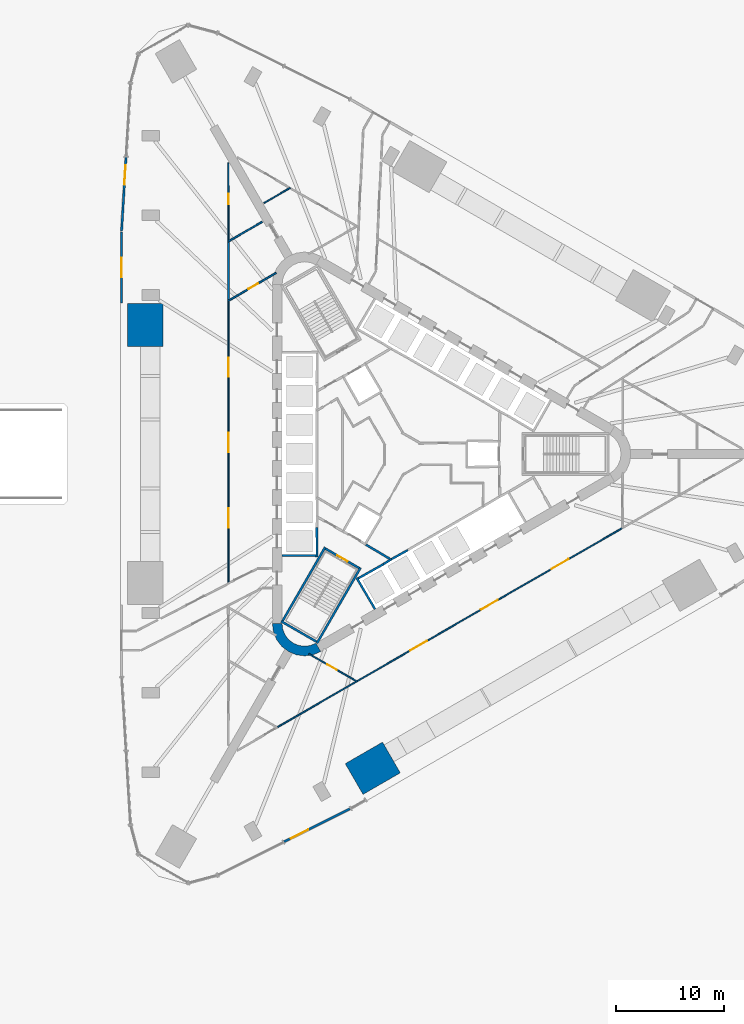
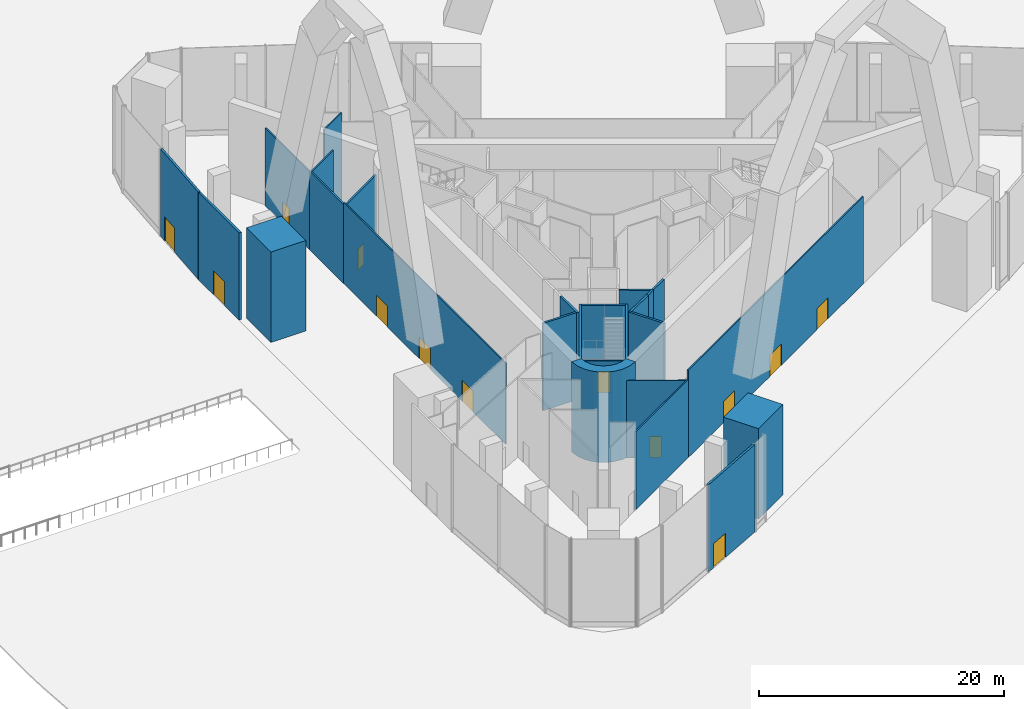
# One storey, part 14 of 22: 26 walls, 13 doors, 13 openings.
"""IFC4 building model written with IfcOpenShell, lengths in metres."""

from ifc_helpers import new_model, si_unit, direction, frame, frame_2d, origin, place, context, subcontext, project, spatial, polyline, rectangle, outline, extrude, material, layer, layer_set, type_object, element, fill, save


model = new_model("IFC4")

# Units and contexts
model_context = context("Model", 3, precision=1e-05, world=origin(), true_north=direction((0.0, 1.0)))
body_context = subcontext(model_context, "Body", "Model", "MODEL_VIEW")
ifc_project = project(units=[si_unit("LENGTHUNIT", "METRE"), si_unit("AREAUNIT", "SQUARE_METRE"), si_unit("VOLUMEUNIT", "CUBIC_METRE"), si_unit("PLANEANGLEUNIT", "RADIAN"), si_unit("MASSUNIT", "GRAM", prefix="KILO")], contexts=[model_context])

# Site, building, storey
site_placement = place(None, origin())
site = spatial("IfcSite", under=ifc_project, at=site_placement, CompositionType="ELEMENT")
building_placement = place(site_placement, origin())
building = spatial("IfcBuilding", under=site, at=building_placement, Name="Tanit Gate Tower", CompositionType="ELEMENT")
storey_placement = place(building_placement, origin())
storey = spatial("IfcBuildingStorey", under=building, at=storey_placement, Name="L00", CompositionType="ELEMENT", Elevation=0.0)

# Wall
ifc_material_1 = material(Name="Concrete C60/75", Category="concrete")
ifc_layer_1 = layer(ifc_material_1, 0.89990234375)
ifc_layer_set_1 = layer_set([ifc_layer_1], Name="CORE WALL 900 C60/75")
wall_type_1 = type_object("IfcWallType", Name="CORE WALL 900 C60/75", PredefinedType="SHEAR", material=ifc_layer_set_1)
wall_1_placement = place(storey_placement, origin())
element("IfcWall", 1, at=wall_1_placement, inside=storey, type_object=wall_type_1, Name="CORE WALL CORNER", PredefinedType="SHEAR", context=body_context, shape_type="SweptSolid", body=[
    extrude(outline(polyline([(-12.10009765625, -15.76171875), (-11.997802734375, -16.5380859375), (-11.697998046875, -17.26171875), (-11.22119140625, -17.883056640625), (-10.60009765625, -18.359619140625), (-9.87646484375, -18.659423828125), (-9.10009765625, -18.76171875), (-8.323486328125, -18.659423828125), (-7.60009765625, -18.359619140625), (-8.050048828125, -17.580322265625), (-8.556396484375, -17.7900390625), (-9.10009765625, -17.86181640625), (-9.6435546875, -17.7900390625), (-10.14990234375, -17.580322265625), (-10.5849609375, -17.24658203125), (-10.918701171875, -16.811767578125), (-11.12841796875, -16.30517578125), (-11.199951171875, -15.76171875), (-12.10009765625, -15.76171875)])), origin(), (0.0, 0.0, 1.0), 9.0),
])

# Wall, opening, door
ifc_material_2 = material(Name="Concrete C30/37 rendered", Category="concrete")
ifc_layer_2 = layer(ifc_material_2, 0.199951171875)
ifc_layer_set_2 = layer_set([ifc_layer_2], Name="Facade wall 200 rendered")
wall_type_2 = type_object("IfcWallType", Name="Facade wall 200 rendered", PredefinedType="SOLIDWALL", material=ifc_layer_set_2)
wall_2_placement = place(storey_placement, frame((-26.10986328125, 20.645263671875, 0.0), z_axis=(0.0, 0.0, 1.0), x_axis=(7.3923489e-05, -0.999999997268, 0.0)))
wall_2 = element("IfcWall", 2, at=wall_2_placement, inside=storey, type_object=wall_type_2, Name="Facade wall L00 W2a.1", PredefinedType="SOLIDWALL", context=body_context, shape_type="SweptSolid", body=[
    extrude(rectangle(XDim=6.605224609375, YDim=0.199951171875, at=frame_2d((3.302734375, 0.0))), origin(), (0.0, 0.0, 1.0), 8.699951171875),
])
opening_1_placement = place(wall_2_placement, frame((2.402587890625, 0.0, 0.0)))
opening_1 = element("IfcOpeningElement", 3, at=opening_1_placement, cuts=wall_2, Name="Opening D1", PredefinedType="OPENING", context=body_context, shape_type="SweptSolid", body=[
    extrude(rectangle(XDim=1.800048828125, YDim=2.39990234375, at=frame_2d((0.89990234375, 1.199951171875))), frame((0.0, 0.10986328125, 0.0), z_axis=(0.0, -1.0, 0.0), x_axis=(1.0, 0.0, 0.0)), (0.0, 0.0, 1.0), 0.219970703125),
])
ifc_material_3 = material(Name="Aluminium bronze anodised and glass", Category="aluminium")
door_type_1 = type_object("IfcDoorType", Name="Entrance door double 1800x2400", OperationType="DOUBLE_DOOR_SINGLE_SWING", PredefinedType="DOOR", material=ifc_material_3)
door_1_placement = place(opening_1_placement, frame((1.800048828125, 0.0, 0.0), z_axis=(0.0, 0.0, 1.0), x_axis=(-1.0, 0.0, 0.0)))
door_1 = element("IfcDoor", 4, at=door_1_placement, inside=storey, type_object=door_type_1, Name="Exit door", OperationType="SINGLE_SWING_RIGHT", OverallHeight=2.39990234375, OverallWidth=1.800048828125, PredefinedType="DOOR", context=body_context, shape_type="SweptSolid", body=[
    extrude(rectangle(XDim=1.800048828125, YDim=2.39990234375, at=frame_2d((0.89990234375, 1.199951171875))), frame((0.0, 0.02490234375, 0.0), z_axis=(0.0, -1.0, 0.0), x_axis=(1.0, 0.0, 0.0)), (0.0, 0.0, 1.0), 0.050048828125),
])
fill(opening_1, door_1)

wall_3_placement = place(storey_placement, frame((-11.031005859375, -36.041259765625, 0.0), z_axis=(0.0, 0.0, 1.0), x_axis=(0.894384485348, 0.447298996611, 0.0)))
wall_3 = element("IfcWall", 5, at=wall_3_placement, inside=storey, type_object=wall_type_2, Name="Facade wall L00 SE1.2", PredefinedType="SOLIDWALL", context=body_context, shape_type="SweptSolid", body=[
    extrude(rectangle(XDim=6.86083984375, YDim=0.199951171875, at=frame_2d((3.430419921875, 0.0))), origin(), (0.0, 0.0, 1.0), 8.699951171875),
])
opening_2_placement = place(wall_3_placement, frame((0.740478515625, 0.0, 0.0)))
opening_2 = element("IfcOpeningElement", 6, at=opening_2_placement, cuts=wall_3, Name="Opening D1", PredefinedType="OPENING", context=body_context, shape_type="SweptSolid", body=[
    extrude(rectangle(XDim=1.800048828125, YDim=2.39990234375, at=frame_2d((0.89990234375, 1.199951171875))), frame((0.0, 0.10986328125, 0.0), z_axis=(0.0, -1.0, 0.0), x_axis=(1.0, 0.0, 0.0)), (0.0, 0.0, 1.0), 0.219970703125),
])
door_2_placement = place(opening_2_placement, frame((1.800048828125, 0.0, 0.0), z_axis=(0.0, 0.0, 1.0), x_axis=(-1.0, 0.0, 0.0)))
door_2 = element("IfcDoor", 7, at=door_2_placement, inside=storey, type_object=door_type_1, Name="Exit door", OperationType="SINGLE_SWING_RIGHT", OverallHeight=2.39990234375, OverallWidth=1.800048828125, PredefinedType="DOOR", context=body_context, shape_type="SweptSolid", body=[
    extrude(rectangle(XDim=1.800048828125, YDim=2.39990234375, at=frame_2d((0.89990234375, 1.199951171875))), frame((0.0, 0.02490234375, 0.0), z_axis=(0.0, -1.0, 0.0), x_axis=(1.0, 0.0, 0.0)), (0.0, 0.0, 1.0), 0.050048828125),
])
fill(opening_2, door_2)

wall_4_placement = place(storey_placement, frame((-25.697021484375, 27.57373046875, 0.0), z_axis=(0.0, 0.0, 1.0), x_axis=(-0.059817122555, -0.998209352716, 0.0)))
wall_4 = element("IfcWall", 8, at=wall_4_placement, inside=storey, type_object=wall_type_2, Name="Facade wall L00 W1.2", PredefinedType="SOLIDWALL", context=body_context, shape_type="SweptSolid", body=[
    extrude(rectangle(XDim=6.86083984375, YDim=0.199951171875, at=frame_2d((3.430419921875, 0.0))), origin(), (0.0, 0.0, 1.0), 8.699951171875),
])
opening_3_placement = place(wall_4_placement, frame((0.740478515625, 0.0, 0.0)))
opening_3 = element("IfcOpeningElement", 9, at=opening_3_placement, cuts=wall_4, Name="Opening D1", PredefinedType="OPENING", context=body_context, shape_type="SweptSolid", body=[
    extrude(rectangle(XDim=1.800048828125, YDim=2.39990234375, at=frame_2d((0.89990234375, 1.199951171875))), frame((0.0, 0.10986328125, 0.0), z_axis=(0.0, -1.0, 0.0), x_axis=(1.0, 0.0, 0.0)), (0.0, 0.0, 1.0), 0.219970703125),
])
door_3_placement = place(opening_3_placement, frame((1.800048828125, 0.0, 0.0), z_axis=(0.0, 0.0, 1.0), x_axis=(-1.0, 0.0, 0.0)))
door_3 = element("IfcDoor", 10, at=door_3_placement, inside=storey, type_object=door_type_1, Name="Exit door", OperationType="SINGLE_SWING_RIGHT", OverallHeight=2.39990234375, OverallWidth=1.800048828125, PredefinedType="DOOR", context=body_context, shape_type="SweptSolid", body=[
    extrude(rectangle(XDim=1.800048828125, YDim=2.39990234375, at=frame_2d((0.89990234375, 1.199951171875))), frame((0.0, 0.02490234375, 0.0), z_axis=(0.0, -1.0, 0.0), x_axis=(1.0, 0.0, 0.0)), (0.0, 0.0, 1.0), 0.050048828125),
])
fill(opening_3, door_3)

# Wall
ifc_material_4 = material(Name="Fire-rated gypsum board partition")
ifc_layer_3 = layer(ifc_material_4, 0.199951171875)
ifc_layer_set_3 = layer_set([ifc_layer_3], Name="INT-WALL-COMPARTMENT")
wall_type_3 = type_object("IfcWallType", Name="INT-WALL-COMPARTMENT", PredefinedType="PARTITIONING", material=ifc_layer_set_3)
wall_5_placement = place(storey_placement, frame((-3.400634765625, -8.43017578125, 0.0), z_axis=(0.0, 0.0, 1.0), x_axis=(0.860615607571, -0.509255118781, 0.0)))
element("IfcWall", 11, at=wall_5_placement, inside=storey, type_object=wall_type_3, Name="Wall Compartment W063", PredefinedType="PARTITIONING", context=body_context, shape_type="SweptSolid", body=[
    extrude(rectangle(XDim=2.58056640625, YDim=0.199951171875, at=frame_2d((1.290283203125, 0.0))), origin(), (0.0, 0.0, 1.0), 8.699951171875),
])

# Wall, opening, door
ifc_material_5 = material(Name="Gypsum board partition")
ifc_layer_4 = layer(ifc_material_5, 0.1201171875)
ifc_layer_set_4 = layer_set([ifc_layer_4], Name="INT-WALL-PARTITION")
wall_type_4 = type_object("IfcWallType", Name="INT-WALL-PARTITION", PredefinedType="PARTITIONING", material=ifc_layer_set_4)
wall_6_placement = place(storey_placement, frame((-8.706787109375, -18.58251953125, 0.0), z_axis=(0.0, 0.0, 1.0), x_axis=(0.868530929613, -0.495634970825, 0.0)))
wall_6 = element("IfcWall", 12, at=wall_6_placement, inside=storey, type_object=wall_type_4, Name="Wall Partition W092", PredefinedType="PARTITIONING", context=body_context, shape_type="SweptSolid", body=[
    extrude(rectangle(XDim=5.165771484375, YDim=0.1201171875, at=frame_2d((2.5830078125, 0.0))), origin(), (0.0, 0.0, 1.0), 7.669921875),
])
opening_4_placement = place(wall_6_placement, frame((1.976806640625, 0.0, 0.0)))
opening_4 = element("IfcOpeningElement", 13, at=opening_4_placement, cuts=wall_6, Name="Opening D10-00-43", PredefinedType="OPENING", context=body_context, shape_type="SweptSolid", body=[
    extrude(rectangle(XDim=1.0, YDim=2.10009765625, at=frame_2d((0.5, 1.050048828125))), frame((0.0, 0.070068359375, 0.0), z_axis=(0.0, -1.0, 0.0), x_axis=(1.0, 0.0, 0.0)), (0.0, 0.0, 1.0), 0.14013671875),
])
ifc_material_6 = material(Name="Timber door leaf", Category="wood")
door_type_2 = type_object("IfcDoorType", Name="INT-DOOR-SINGLE-1000", OperationType="NOTDEFINED", PredefinedType="NOTDEFINED", material=ifc_material_6)
door_4_placement = place(opening_4_placement, origin())
door_4 = element("IfcDoor", 14, at=door_4_placement, inside=storey, type_object=door_type_2, Name="Door D10-00-43", OperationType="SINGLE_SWING_LEFT", OverallHeight=2.10009765625, OverallWidth=1.0, PredefinedType="NOTDEFINED", context=body_context, shape_type="SweptSolid", body=[
    extrude(rectangle(XDim=1.0, YDim=2.10009765625, at=frame_2d((0.5, 1.050048828125))), frame((0.0, 0.02490234375, 0.0), z_axis=(0.0, -1.0, 0.0), x_axis=(1.0, 0.0, 0.0)), (0.0, 0.0, 1.0), 0.050048828125),
])
fill(opening_4, door_4)

# Wall, openings, doors
wall_7_placement = place(storey_placement, frame((-4.276123046875, -21.140380859375, 0.0), z_axis=(0.0, 0.0, 1.0), x_axis=(0.866026219638, 0.499998586897, 0.0)))
wall_7 = element("IfcWall", 15, at=wall_7_placement, inside=storey, type_object=wall_type_4, Name="Wall Partition W093", PredefinedType="PARTITIONING", context=body_context, shape_type="SweptSolid", body=[
    extrude(rectangle(XDim=28.546875, YDim=0.1201171875, at=frame_2d((14.2734375, 0.0))), origin(), (0.0, 0.0, 1.0), 8.699951171875),
])
opening_5_placement = place(wall_7_placement, frame((20.947021484375, 0.0, 0.0)))
opening_5 = element("IfcOpeningElement", 16, at=opening_5_placement, cuts=wall_7, Name="Opening D18-00-27", PredefinedType="OPENING", context=body_context, shape_type="SweptSolid", body=[
    extrude(rectangle(XDim=1.800048828125, YDim=2.10009765625, at=frame_2d((0.89990234375, 1.050048828125))), frame((0.0, 0.070068359375, 0.0), z_axis=(0.0, -1.0, 0.0), x_axis=(1.0, 0.0, 0.0)), (0.0, 0.0, 1.0), 0.14013671875),
])
opening_6_placement = place(wall_7_placement, frame((13.346923828125, 0.0, 0.0)))
opening_6 = element("IfcOpeningElement", 17, at=opening_6_placement, cuts=wall_7, Name="Opening D18-00-28", PredefinedType="OPENING", context=body_context, shape_type="SweptSolid", body=[
    extrude(rectangle(XDim=1.800048828125, YDim=2.10009765625, at=frame_2d((0.89990234375, 1.050048828125))), frame((0.0, 0.070068359375, 0.0), z_axis=(0.0, -1.0, 0.0), x_axis=(1.0, 0.0, 0.0)), (0.0, 0.0, 1.0), 0.14013671875),
])
opening_7_placement = place(wall_7_placement, frame((5.7470703125, 0.0, 0.0)))
opening_7 = element("IfcOpeningElement", 18, at=opening_7_placement, cuts=wall_7, Name="Opening D18-00-29", PredefinedType="OPENING", context=body_context, shape_type="SweptSolid", body=[
    extrude(rectangle(XDim=1.800048828125, YDim=2.10009765625, at=frame_2d((0.89990234375, 1.050048828125))), frame((0.0, 0.070068359375, 0.0), z_axis=(0.0, -1.0, 0.0), x_axis=(1.0, 0.0, 0.0)), (0.0, 0.0, 1.0), 0.14013671875),
])
ifc_material_7 = material(Name="Timber door leaf", Category="wood")
door_type_3 = type_object("IfcDoorType", Name="INT-DOOR-PAIR-1800", OperationType="NOTDEFINED", PredefinedType="NOTDEFINED", material=ifc_material_7)
door_5_placement = place(opening_5_placement, origin())
door_5 = element("IfcDoor", 19, at=door_5_placement, inside=storey, type_object=door_type_3, Name="Door D18-00-27", OperationType="DOUBLE_DOOR_SINGLE_SWING", OverallHeight=2.10009765625, OverallWidth=1.800048828125, PredefinedType="NOTDEFINED", context=body_context, shape_type="SweptSolid", body=[
    extrude(rectangle(XDim=1.800048828125, YDim=2.10009765625, at=frame_2d((0.89990234375, 1.050048828125))), frame((0.0, 0.02490234375, 0.0), z_axis=(0.0, -1.0, 0.0), x_axis=(1.0, 0.0, 0.0)), (0.0, 0.0, 1.0), 0.050048828125),
])
fill(opening_5, door_5)
door_6_placement = place(opening_6_placement, origin())
door_6 = element("IfcDoor", 20, at=door_6_placement, inside=storey, type_object=door_type_3, Name="Door D18-00-28", OperationType="DOUBLE_DOOR_SINGLE_SWING", OverallHeight=2.10009765625, OverallWidth=1.800048828125, PredefinedType="NOTDEFINED", context=body_context, shape_type="SweptSolid", body=[
    extrude(rectangle(XDim=1.800048828125, YDim=2.10009765625, at=frame_2d((0.89990234375, 1.050048828125))), frame((0.0, 0.02490234375, 0.0), z_axis=(0.0, -1.0, 0.0), x_axis=(1.0, 0.0, 0.0)), (0.0, 0.0, 1.0), 0.050048828125),
])
fill(opening_6, door_6)
door_7_placement = place(opening_7_placement, origin())
door_7 = element("IfcDoor", 21, at=door_7_placement, inside=storey, type_object=door_type_3, Name="Door D18-00-29", OperationType="DOUBLE_DOOR_SINGLE_SWING", OverallHeight=2.10009765625, OverallWidth=1.800048828125, PredefinedType="NOTDEFINED", context=body_context, shape_type="SweptSolid", body=[
    extrude(rectangle(XDim=1.800048828125, YDim=2.10009765625, at=frame_2d((0.89990234375, 1.050048828125))), frame((0.0, 0.02490234375, 0.0), z_axis=(0.0, -1.0, 0.0), x_axis=(1.0, 0.0, 0.0)), (0.0, 0.0, 1.0), 0.050048828125),
])
fill(opening_7, door_7)

wall_8_placement = place(storey_placement, frame((-16.169921875, 14.2734375, 0.0), z_axis=(0.0, 0.0, 1.0), x_axis=(0.0, -1.0, 0.0)))
wall_8 = element("IfcWall", 22, at=wall_8_placement, inside=storey, type_object=wall_type_4, Name="Wall Partition W097", PredefinedType="PARTITIONING", context=body_context, shape_type="SweptSolid", body=[
    extrude(rectangle(XDim=26.350341796875, YDim=0.1201171875, at=frame_2d((13.17529296875, 0.0))), origin(), (0.0, 0.0, 1.0), 8.080078125),
])
opening_8_placement = place(wall_8_placement, frame((19.31396484375, 0.0, 0.0)))
opening_8 = element("IfcOpeningElement", 23, at=opening_8_placement, cuts=wall_8, Name="Opening D18-00-30", PredefinedType="OPENING", context=body_context, shape_type="SweptSolid", body=[
    extrude(rectangle(XDim=1.800048828125, YDim=2.10009765625, at=frame_2d((0.89990234375, 1.050048828125))), frame((0.0, 0.070068359375, 0.0), z_axis=(0.0, -1.0, 0.0), x_axis=(1.0, 0.0, 0.0)), (0.0, 0.0, 1.0), 0.14013671875),
])
opening_9_placement = place(wall_8_placement, frame((12.31396484375, 0.0, 0.0)))
opening_9 = element("IfcOpeningElement", 24, at=opening_9_placement, cuts=wall_8, Name="Opening D18-00-31", PredefinedType="OPENING", context=body_context, shape_type="SweptSolid", body=[
    extrude(rectangle(XDim=1.800048828125, YDim=2.10009765625, at=frame_2d((0.89990234375, 1.050048828125))), frame((0.0, 0.070068359375, 0.0), z_axis=(0.0, -1.0, 0.0), x_axis=(1.0, 0.0, 0.0)), (0.0, 0.0, 1.0), 0.14013671875),
])
opening_10_placement = place(wall_8_placement, frame((5.31396484375, 0.0, 0.0)))
opening_10 = element("IfcOpeningElement", 25, at=opening_10_placement, cuts=wall_8, Name="Opening D18-00-32", PredefinedType="OPENING", context=body_context, shape_type="SweptSolid", body=[
    extrude(rectangle(XDim=1.800048828125, YDim=2.10009765625, at=frame_2d((0.89990234375, 1.050048828125))), frame((0.0, 0.070068359375, 0.0), z_axis=(0.0, -1.0, 0.0), x_axis=(1.0, 0.0, 0.0)), (0.0, 0.0, 1.0), 0.14013671875),
])
door_8_placement = place(opening_8_placement, origin())
door_8 = element("IfcDoor", 26, at=door_8_placement, inside=storey, type_object=door_type_3, Name="Door D18-00-30", OperationType="DOUBLE_DOOR_SINGLE_SWING", OverallHeight=2.10009765625, OverallWidth=1.800048828125, PredefinedType="NOTDEFINED", context=body_context, shape_type="SweptSolid", body=[
    extrude(rectangle(XDim=1.800048828125, YDim=2.10009765625, at=frame_2d((0.89990234375, 1.050048828125))), frame((0.0, 0.02490234375, 0.0), z_axis=(0.0, -1.0, 0.0), x_axis=(1.0, 0.0, 0.0)), (0.0, 0.0, 1.0), 0.050048828125),
])
fill(opening_8, door_8)
door_9_placement = place(opening_9_placement, origin())
door_9 = element("IfcDoor", 27, at=door_9_placement, inside=storey, type_object=door_type_3, Name="Door D18-00-31", OperationType="DOUBLE_DOOR_SINGLE_SWING", OverallHeight=2.10009765625, OverallWidth=1.800048828125, PredefinedType="NOTDEFINED", context=body_context, shape_type="SweptSolid", body=[
    extrude(rectangle(XDim=1.800048828125, YDim=2.10009765625, at=frame_2d((0.89990234375, 1.050048828125))), frame((0.0, 0.02490234375, 0.0), z_axis=(0.0, -1.0, 0.0), x_axis=(1.0, 0.0, 0.0)), (0.0, 0.0, 1.0), 0.050048828125),
])
fill(opening_9, door_9)
door_10_placement = place(opening_10_placement, origin())
door_10 = element("IfcDoor", 28, at=door_10_placement, inside=storey, type_object=door_type_3, Name="Door D18-00-32", OperationType="DOUBLE_DOOR_SINGLE_SWING", OverallHeight=2.10009765625, OverallWidth=1.800048828125, PredefinedType="NOTDEFINED", context=body_context, shape_type="SweptSolid", body=[
    extrude(rectangle(XDim=1.800048828125, YDim=2.10009765625, at=frame_2d((0.89990234375, 1.050048828125))), frame((0.0, 0.02490234375, 0.0), z_axis=(0.0, -1.0, 0.0), x_axis=(1.0, 0.0, 0.0)), (0.0, 0.0, 1.0), 0.050048828125),
])
fill(opening_10, door_10)

# Walls
wall_9_placement = place(storey_placement, frame((-4.276123046875, -21.140380859375, 0.0), z_axis=(0.0, 0.0, 1.0), x_axis=(-0.866020735843, -0.500008085025, 0.0)))
element("IfcWall", 29, at=wall_9_placement, inside=storey, type_object=wall_type_4, Name="Wall Partition W117", PredefinedType="PARTITIONING", context=body_context, shape_type="SweptSolid", body=[
    extrude(rectangle(XDim=8.557861328125, YDim=0.1201171875, at=frame_2d((4.27880859375, 0.0))), origin(), (0.0, 0.0, 1.0), 7.780029296875),
])
wall_10_placement = place(storey_placement, frame((-10.436279296875, 24.7314453125, 0.0), z_axis=(0.0, 0.0, 1.0), x_axis=(-0.865418403418, -0.501049884768, 0.0)))
element("IfcWall", 30, at=wall_10_placement, inside=storey, type_object=wall_type_4, Name="Wall Partition W105", PredefinedType="PARTITIONING", context=body_context, shape_type="SweptSolid", body=[
    extrude(rectangle(XDim=2.82763671875, YDim=0.1201171875, at=frame_2d((1.413818359375, 0.0))), origin(), (0.0, 0.0, 1.0), 8.699951171875),
])

# Wall, opening, door
wall_11_placement = place(storey_placement, frame((-16.169921875, 19.794677734375, 0.0), z_axis=(0.0, 0.0, 1.0), x_axis=(-0.003632670279, 0.999993401832, 0.0)))
wall_11 = element("IfcWall", 31, at=wall_11_placement, inside=storey, type_object=wall_type_4, Name="Wall Partition W111", PredefinedType="PARTITIONING", context=body_context, shape_type="SweptSolid", body=[
    extrude(rectangle(XDim=7.25830078125, YDim=0.1201171875, at=frame_2d((3.629150390625, 0.0))), origin(), (0.0, 0.0, 1.0), 7.780029296875),
])
opening_11_placement = place(wall_11_placement, frame((3.39990234375, 0.0, 0.0)))
opening_11 = element("IfcOpeningElement", 32, at=opening_11_placement, cuts=wall_11, Name="Opening D10-00-40", PredefinedType="OPENING", context=body_context, shape_type="SweptSolid", body=[
    extrude(rectangle(XDim=1.0, YDim=2.10009765625, at=frame_2d((0.5, 1.050048828125))), frame((0.0, 0.070068359375, 0.0), z_axis=(0.0, -1.0, 0.0), x_axis=(1.0, 0.0, 0.0)), (0.0, 0.0, 1.0), 0.14013671875),
])
door_11_placement = place(opening_11_placement, origin())
door_11 = element("IfcDoor", 33, at=door_11_placement, inside=storey, type_object=door_type_2, Name="Door D10-00-40", OperationType="SINGLE_SWING_LEFT", OverallHeight=2.10009765625, OverallWidth=1.0, PredefinedType="NOTDEFINED", context=body_context, shape_type="SweptSolid", body=[
    extrude(rectangle(XDim=1.0, YDim=2.10009765625, at=frame_2d((0.5, 1.050048828125))), frame((0.0, 0.02490234375, 0.0), z_axis=(0.0, -1.0, 0.0), x_axis=(1.0, 0.0, 0.0)), (0.0, 0.0, 1.0), 0.050048828125),
])
fill(opening_11, door_11)

ifc_material_8 = material(Name="Fire-rated gypsum board partition")
ifc_layer_5 = layer(ifc_material_8, 0.14990234375)
ifc_layer_set_5 = layer_set([ifc_layer_5], Name="INT-WALL-RISER")
wall_type_5 = type_object("IfcWallType", Name="INT-WALL-RISER", PredefinedType="PLUMBINGWALL", material=ifc_layer_set_5)
wall_12_placement = place(storey_placement, frame((-11.739501953125, 16.83154296875, 0.0), z_axis=(0.0, 0.0, 1.0), x_axis=(-0.863501067027, -0.504347010741, 0.0)))
wall_12 = element("IfcWall", 34, at=wall_12_placement, inside=storey, type_object=wall_type_5, Name="Wall Riser W094", PredefinedType="PLUMBINGWALL", context=body_context, shape_type="SweptSolid", body=[
    extrude(rectangle(XDim=5.16552734375, YDim=0.14990234375, at=frame_2d((2.582763671875, 0.0))), origin(), (0.0, 0.0, 1.0), 7.780029296875),
])
opening_12_placement = place(wall_12_placement, frame((1.976806640625, 0.0, 0.0)))
opening_12 = element("IfcOpeningElement", 35, at=opening_12_placement, cuts=wall_12, Name="Opening F10-00-39", PredefinedType="OPENING", context=body_context, shape_type="SweptSolid", body=[
    extrude(rectangle(XDim=1.0, YDim=2.10009765625, at=frame_2d((0.5, 1.050048828125))), frame((0.0, 0.0849609375, 0.0), z_axis=(0.0, -1.0, 0.0), x_axis=(1.0, 0.0, 0.0)), (0.0, 0.0, 1.0), 0.169921875),
])
ifc_material_9 = material(Name="Fire-rated steel door leaf", Category="steel")
door_type_4 = type_object("IfcDoorType", Name="INT-DOOR-FIRE-1000", OperationType="NOTDEFINED", PredefinedType="USERDEFINED", material=ifc_material_9)
door_12_placement = place(opening_12_placement, origin())
door_12 = element("IfcDoor", 36, at=door_12_placement, inside=storey, type_object=door_type_4, Name="Door F10-00-39", ObjectType="FIRE DOOR", OperationType="SINGLE_SWING_LEFT", OverallHeight=2.10009765625, OverallWidth=1.0, PredefinedType="USERDEFINED", context=body_context, shape_type="SweptSolid", body=[
    extrude(rectangle(XDim=1.0, YDim=2.10009765625, at=frame_2d((0.5, 1.050048828125))), frame((0.0, 0.02490234375, 0.0), z_axis=(0.0, -1.0, 0.0), x_axis=(1.0, 0.0, 0.0)), (0.0, 0.0, 1.0), 0.050048828125),
])
fill(opening_12, door_12)

# Walls
wall_13_placement = place(storey_placement, frame((-13.0322265625, 21.572265625, 0.0), z_axis=(0.0, 0.0, 1.0), x_axis=(-0.866491166515, -0.499192406143, 0.0)))
element("IfcWall", 37, at=wall_13_placement, inside=storey, type_object=wall_type_5, Name="Wall Riser W109", PredefinedType="PLUMBINGWALL", context=body_context, shape_type="SweptSolid", body=[
    extrude(rectangle(XDim=3.65576171875, YDim=0.14990234375, at=frame_2d((1.827880859375, 0.0))), origin(), (0.0, 0.0, 1.0), 7.780029296875),
])
wall_14_placement = place(storey_placement, frame((-16.169921875, 14.2734375, 0.0), z_axis=(0.0, 0.0, 1.0), x_axis=(0.0, 1.0, 0.0)))
element("IfcWall", 38, at=wall_14_placement, inside=storey, type_object=wall_type_5, Name="Wall Riser W110", PredefinedType="PLUMBINGWALL", context=body_context, shape_type="SweptSolid", body=[
    extrude(rectangle(XDim=5.521240234375, YDim=0.14990234375, at=frame_2d((2.7607421875, 0.0))), origin(), (0.0, 0.0, 1.0), 7.8798828125),
])
ifc_material_10 = material(Name="Gypsum shaft wall system")
ifc_layer_6 = layer(ifc_material_10, 0.199951171875)
ifc_layer_set_6 = layer_set([ifc_layer_6], Name="INT-WALL-SHAFT")
wall_type_6 = type_object("IfcWallType", Name="INT-WALL-SHAFT", PredefinedType="PLUMBINGWALL", material=ifc_layer_set_6)
wall_15_placement = place(storey_placement, frame((-7.97900390625, -6.85009765625, 0.0), z_axis=(0.0, 0.0, 1.0), x_axis=(0.011121475088, -0.999938154483, 0.0)))
element("IfcWall", 39, at=wall_15_placement, inside=storey, type_object=wall_type_6, Name="Wall Shaft W011", PredefinedType="PLUMBINGWALL", context=body_context, shape_type="SweptSolid", body=[
    extrude(rectangle(XDim=2.7001953125, YDim=0.199951171875, at=frame_2d((1.35009765625, 0.0))), origin(), (0.0, 0.0, 1.0), 8.699951171875),
])
wall_16_placement = place(storey_placement, frame((-8.050048828125, -9.448974609375, 0.0), z_axis=(0.0, 0.0, 1.0), x_axis=(-0.999957467379, 0.009222983926, 0.0)))
element("IfcWall", 40, at=wall_16_placement, inside=storey, type_object=wall_type_6, Name="Wall Shaft W012", PredefinedType="PLUMBINGWALL", context=body_context, shape_type="SweptSolid", body=[
    extrude(rectangle(XDim=3.150146484375, YDim=0.199951171875, at=frame_2d((1.5751953125, 0.0))), origin(), (0.0, 0.0, 1.0), 8.699951171875),
])
wall_17_placement = place(storey_placement, frame((-2.557861328125, -14.409423828125, 0.0), z_axis=(0.0, 0.0, 1.0), x_axis=(-0.507997497166, 0.861358544901, 0.0)))
element("IfcWall", 41, at=wall_17_placement, inside=storey, type_object=wall_type_6, Name="Wall Shaft W027", PredefinedType="PLUMBINGWALL", context=body_context, shape_type="SweptSolid", body=[
    extrude(rectangle(XDim=3.350341796875, YDim=0.199951171875, at=frame_2d((1.67529296875, 0.0))), origin(), (0.0, 0.0, 1.0), 8.699951171875),
])
wall_18_placement = place(storey_placement, frame((-1.7685546875, -10.23681640625, 0.0), z_axis=(0.0, 0.0, 1.0), x_axis=(-0.871534483978, -0.490334215854, 0.0)))
element("IfcWall", 42, at=wall_18_placement, inside=storey, type_object=wall_type_6, Name="Wall Shaft W028", PredefinedType="PLUMBINGWALL", context=body_context, shape_type="SweptSolid", body=[
    extrude(rectangle(XDim=2.7001953125, YDim=0.199951171875, at=frame_2d((1.35009765625, 0.0))), origin(), (0.0, 0.0, 1.0), 8.699951171875),
])
wall_19_placement = place(storey_placement, frame((-1.02392578125, -9.77099609375, 0.0), z_axis=(0.0, 0.0, 1.0), x_axis=(-0.850348075135, -0.526220629693, 0.0)))
element("IfcWall", 43, at=wall_19_placement, inside=storey, type_object=wall_type_6, Name="Wall Shaft W029", PredefinedType="PLUMBINGWALL", context=body_context, shape_type="SweptSolid", body=[
    extrude(rectangle(XDim=0.878173828125, YDim=0.199951171875, at=frame_2d((0.43896484375, 0.0))), origin(), (0.0, 0.0, 1.0), 8.699951171875),
])
wall_20_placement = place(storey_placement, frame((-1.130126953125, -9.831298828125, 0.0), z_axis=(0.0, 0.0, 1.0), x_axis=(0.874269620932, 0.485440655401, 0.0)))
element("IfcWall", 44, at=wall_20_placement, inside=storey, type_object=wall_type_6, Name="Wall Shaft W030", PredefinedType="PLUMBINGWALL", context=body_context, shape_type="SweptSolid", body=[
    extrude(rectangle(XDim=1.8447265625, YDim=0.199951171875, at=frame_2d((0.92236328125, 0.0))), origin(), (0.0, 0.0, 1.0), 8.699951171875),
])
ifc_material_11 = material(Name="Concrete C40/50", Category="concrete")
ifc_layer_7 = layer(ifc_material_11, 0.199951171875)
ifc_layer_set_7 = layer_set([ifc_layer_7], Name="INT-WALL-STAIR")
wall_type_7 = type_object("IfcWallType", Name="INT-WALL-STAIR", PredefinedType="SHEAR", material=ifc_layer_set_7)
wall_21_placement = place(storey_placement, frame((-3.904541015625, -10.56298828125, -0.39990234375), z_axis=(0.0, 0.0, 1.0), x_axis=(-0.500012932018, -0.866017937352, 0.0)))
element("IfcWall", 45, at=wall_21_placement, inside=storey, type_object=wall_type_7, Name="Wall Stair W049", PredefinedType="SHEAR", context=body_context, shape_type="SweptSolid", body=[
    extrude(rectangle(XDim=8.099853515625, YDim=0.199951171875, at=frame_2d((4.0498046875, 0.0))), origin(), (0.0, 0.0, 1.0), 9.099853515625),
])
wall_22_placement = place(storey_placement, frame((-11.281982421875, -15.541015625, -0.39990234375), z_axis=(0.0, 0.0, 1.0), x_axis=(0.866000483506, -0.500043160704, 0.0)))
element("IfcWall", 46, at=wall_22_placement, inside=storey, type_object=wall_type_7, Name="Wall Stair W050", PredefinedType="SHEAR", context=body_context, shape_type="SweptSolid", body=[
    extrude(rectangle(XDim=3.800048828125, YDim=0.199951171875, at=frame_2d((1.89990234375, 0.0))), origin(), (0.0, 0.0, 1.0), 9.099853515625),
])
wall_23_placement = place(storey_placement, frame((-7.195556640625, -8.662841796875, -0.39990234375), z_axis=(0.0, 0.0, 1.0), x_axis=(-0.499997992926, -0.866026562566, 0.0)))
element("IfcWall", 47, at=wall_23_placement, inside=storey, type_object=wall_type_7, Name="Wall Stair W051", PredefinedType="SHEAR", context=body_context, shape_type="SweptSolid", body=[
    extrude(rectangle(XDim=7.89990234375, YDim=0.199951171875, at=frame_2d((3.949951171875, 0.0))), origin(), (0.0, 0.0, 1.0), 9.099853515625),
])

# Wall, opening, door
wall_24_placement = place(storey_placement, frame((-4.041259765625, -10.599365234375, -0.39990234375), z_axis=(0.0, 0.0, 1.0), x_axis=(-0.866047807691, 0.499961193289, 0.0)))
wall_24 = element("IfcWall", 48, at=wall_24_placement, inside=storey, type_object=wall_type_7, Name="Wall Stair W052", PredefinedType="SHEAR", context=body_context, shape_type="SweptSolid", body=[
    extrude(rectangle(XDim=3.599853515625, YDim=0.199951171875, at=frame_2d((1.7998046875, 0.0))), origin(), (0.0, 0.0, 1.0), 9.099853515625),
])
opening_13_placement = place(wall_24_placement, frame((1.25, 0.0, 0.39990234375)))
opening_13 = element("IfcOpeningElement", 49, at=opening_13_placement, cuts=wall_24, Name="Opening S11-00-07", PredefinedType="OPENING", context=body_context, shape_type="SweptSolid", body=[
    extrude(rectangle(XDim=1.10009765625, YDim=2.10009765625, at=frame_2d((0.550048828125, 1.050048828125))), frame((0.0, 0.10986328125, 0.0), z_axis=(0.0, -1.0, 0.0), x_axis=(1.0, 0.0, 0.0)), (0.0, 0.0, 1.0), 0.219970703125),
])
ifc_material_12 = material(Name="Timber door leaf", Category="wood")
door_type_5 = type_object("IfcDoorType", Name="INT-DOOR-STAIR-1100", OperationType="NOTDEFINED", PredefinedType="USERDEFINED", material=ifc_material_12)
door_13_placement = place(opening_13_placement, origin())
door_13 = element("IfcDoor", 50, at=door_13_placement, inside=storey, type_object=door_type_5, Name="Door S11-00-07", ObjectType="FIRE DOOR", OperationType="SINGLE_SWING_RIGHT", OverallHeight=2.10009765625, OverallWidth=1.10009765625, PredefinedType="USERDEFINED", context=body_context, shape_type="SweptSolid", body=[
    extrude(rectangle(XDim=1.10009765625, YDim=2.10009765625, at=frame_2d((0.550048828125, 1.050048828125))), frame((0.0, 0.02490234375, 0.0), z_axis=(0.0, -1.0, 0.0), x_axis=(1.0, 0.0, 0.0)), (0.0, 0.0, 1.0), 0.050048828125),
])
fill(opening_13, door_13)

# Walls
ifc_material_13 = material(Name="Concrete C60/75", Category="concrete")
ifc_layer_8 = layer(ifc_material_13, 4.0)
ifc_layer_set_8 = layer_set([ifc_layer_8], Name="PIER WALL 4000 C60/75")
wall_type_8 = type_object("IfcWallType", Name="PIER WALL 4000 C60/75", PredefinedType="SHEAR", material=ifc_layer_set_8)
wall_25_placement = place(storey_placement, origin())
element("IfcWall", 51, at=wall_25_placement, inside=storey, type_object=wall_type_8, Name="PIER WALL", PredefinedType="SHEAR", context=body_context, shape_type="SweptSolid", body=[
    extrude(outline(polyline([(-3.677734375, -31.6298828125), (-0.213623046875, -29.6298828125), (-1.86376953125, -26.77197265625), (-5.327880859375, -28.77197265625), (-3.677734375, -31.6298828125)])), origin(), (0.0, 0.0, 1.0), 9.0),
])
wall_26_placement = place(storey_placement, origin())
element("IfcWall", 52, at=wall_26_placement, inside=storey, type_object=wall_type_8, Name="PIER WALL", PredefinedType="SHEAR", context=body_context, shape_type="SweptSolid", body=[
    extrude(outline(polyline([(-25.553466796875, 14.0), (-25.553466796875, 10.0), (-22.25341796875, 10.0), (-22.25341796875, 14.0), (-25.553466796875, 14.0)])), origin(), (0.0, 0.0, 1.0), 9.0),
])

save(model, "model.ifc")
